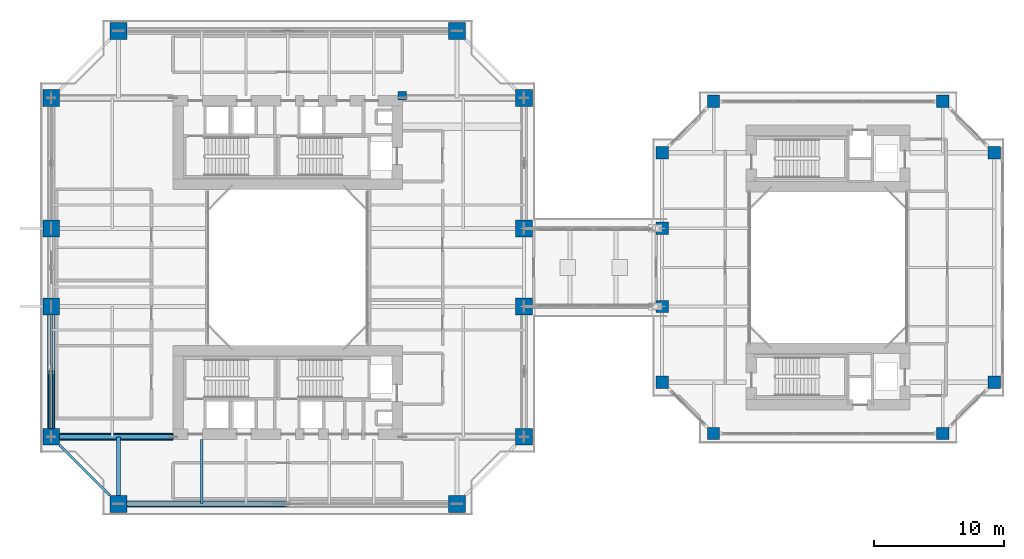
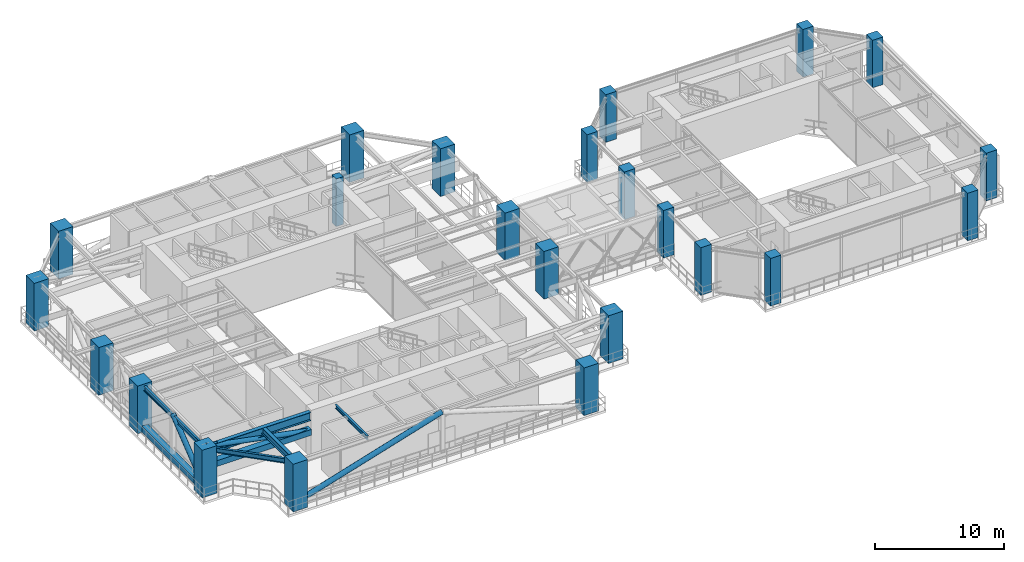
# One storey, part 1 of 26: 23 columns, 5 beams, 5 members.
"""IFC4 building model written with IfcOpenShell, lengths in metres."""

from ifc_helpers import new_model, si_unit, direction, frame, origin, origin_2d, place, context, subcontext, project, spatial, rectangle, hollow_rectangle, hollow_circle, i_section, extrude, source, transform, mapped, material, material_profile, profile_set, type_object, element, save


model = new_model("IFC4")

# Units and contexts
model_context = context("Model", 3, precision=1e-05, world=origin(), true_north=direction((0.0, 1.0)))
body_context = subcontext(model_context, "Body", "Model", "MODEL_VIEW")
ifc_project = project(units=[si_unit("LENGTHUNIT", "METRE"), si_unit("AREAUNIT", "SQUARE_METRE"), si_unit("VOLUMEUNIT", "CUBIC_METRE"), si_unit("PLANEANGLEUNIT", "RADIAN"), si_unit("MASSUNIT", "GRAM", prefix="KILO"), si_unit("THERMODYNAMICTEMPERATUREUNIT", "KELVIN"), si_unit("POWERUNIT", "WATT")], contexts=[model_context])

# Site, building, storey
site_placement = place(None, origin())
site = spatial("IfcSite", under=ifc_project, at=site_placement, CompositionType="ELEMENT")
building_placement = place(site_placement, origin())
building = spatial("IfcBuilding", under=site, at=building_placement, Name="Qiaomeng Ring Towers", CompositionType="ELEMENT")
storey_placement = place(building_placement, frame((0.0, 0.0, 45.75)))
storey = spatial("IfcBuildingStorey", under=building, at=storey_placement, Name="L12", CompositionType="ELEMENT", Elevation=45.75)

# Columns
ifc_material_1 = material(Name="Concrete C50", Category="concrete")
ifc_material_profile_1 = material_profile(ifc_material_1, rectangle(XDim=0.64990234375, YDim=0.64990234375, at=origin_2d()), Name="RC COL 650x650")
ifc_profile_set_1 = profile_set([ifc_material_profile_1], Name="Concrete C50")
column_type_1 = type_object("IfcColumnType", Name="STR-PIL-650", PredefinedType="PILASTER", material=ifc_profile_set_1)
shared_shape_1 = source(origin(), body_context, "Body", "SweptSolid", [
    extrude(rectangle(XDim=0.64990234375, YDim=0.64990234375, at=origin_2d()), origin(), (0.0, 0.0, 1.0), 4.5),
])
column_placement = place(storey_placement, frame((27.800048828125, 36.199951171875, 0.0), z_axis=(0.0, 0.0, 1.0), x_axis=(1.0, 0.0, 0.0)))
element("IfcColumn", 1, at=column_placement, inside=storey, type_object=column_type_1, Name="L12 column STR-PIL-L12-N", PredefinedType="PILASTER", context=body_context, shape_type="MappedRepresentation", body=[
    mapped(shared_shape_1, transform((0.0, 0.0, 0.0), x_axis=(1.0, 0.0, 0.0), y_axis=(0.0, 1.0, 0.0), z_axis=(0.0, 0.0, 1.0), scale=1.0)),
])
ifc_material_2 = material(Name="Concrete C60", Category="concrete")
ifc_material_profile_2 = material_profile(ifc_material_2, rectangle(XDim=1.300048828125, YDim=1.300048828125, at=origin_2d()), Name="RC COL 1300x1300")
ifc_profile_set_2 = profile_set([ifc_material_profile_2], Name="Concrete C60")
column_type_2 = type_object("IfcColumnType", Name="STR-COL-1300", PredefinedType="COLUMN", material=ifc_profile_set_2)
shared_shape_2 = source(origin(), body_context, "Body", "SweptSolid", [
    extrude(rectangle(XDim=1.300048828125, YDim=1.300048828125, at=origin_2d()), origin(), (0.0, 0.0, 1.0), 4.5),
])
for number, where, z_axis, x_axis, name in (
    (2, (6.0, 4.85009765625, 0.0), (0.0, 0.0, 1.0), (1.0, 0.0, 0.0), "L12 column STR-COL-L12-T1-S1"),
    (3, (32.0, 4.85009765625, 0.0), (0.0, 0.0, 1.0), (1.0, 0.0, 0.0), "L12 column STR-COL-L12-T1-S2"),
    (4, (37.14990234375, 10.0, 0.0), (0.0, 0.0, 1.0), (1.0, 0.0, 0.0), "L12 column STR-COL-L12-T1-E1"),
    (5, (37.14990234375, 20.0, 0.0), (0.0, 0.0, 1.0), (1.0, 0.0, 0.0), "L12 column STR-COL-L12-T1-E2"),
    (6, (37.14990234375, 26.0, 0.0), (0.0, 0.0, 1.0), (1.0, 0.0, 0.0), "L12 column STR-COL-L12-T1-E3"),
    (7, (37.14990234375, 36.0, 0.0), (0.0, 0.0, 1.0), (1.0, 0.0, 0.0), "L12 column STR-COL-L12-T1-E4"),
    (8, (32.0, 41.14990234375, 0.0), (0.0, 0.0, 1.0), (1.0, 0.0, 0.0), "L12 column STR-COL-L12-T1-N2"),
    (9, (6.0, 41.14990234375, 0.0), (0.0, 0.0, 1.0), (1.0, 0.0, 0.0), "L12 column STR-COL-L12-T1-N1"),
    (10, (0.85009765625, 36.0, 0.0), (0.0, 0.0, 1.0), (1.0, 0.0, 0.0), "L12 column STR-COL-L12-T1-W4"),
    (11, (0.85009765625, 26.0, 0.0), (0.0, 0.0, 1.0), (1.0, 0.0, 0.0), "L12 column STR-COL-L12-T1-W3"),
    (12, (0.85009765625, 20.0, 0.0), (0.0, 0.0, 1.0), (1.0, 0.0, 0.0), "L12 column STR-COL-L12-T1-W2"),
    (13, (0.85009765625, 10.0, 0.0), (0.0, 0.0, 1.0), (1.0, 0.0, 0.0), "L12 column STR-COL-L12-T1-W1"),
):
    element("IfcColumn", number, at=place(storey_placement, frame(where, z_axis=z_axis, x_axis=x_axis)), inside=storey, type_object=column_type_2, Name=name, PredefinedType="COLUMN", context=body_context, shape_type="MappedRepresentation", body=[
        mapped(shared_shape_2, transform((0.0, 0.0, 0.0), x_axis=(1.0, 0.0, 0.0), y_axis=(0.0, 1.0, 0.0), z_axis=(0.0, 0.0, 1.0), scale=1.0)),
    ])
ifc_material_profile_3 = material_profile(ifc_material_2, rectangle(XDim=0.949951171875, YDim=0.949951171875, at=origin_2d()), Name="RC COL 950x950")
ifc_profile_set_3 = profile_set([ifc_material_profile_3], Name="Concrete C60")
column_type_3 = type_object("IfcColumnType", Name="STR-COL-950-C60", PredefinedType="COLUMN", material=ifc_profile_set_3)
shared_shape_3 = source(origin(), body_context, "Body", "SweptSolid", [
    extrude(rectangle(XDim=0.949951171875, YDim=0.949951171875, at=origin_2d()), origin(), (0.0, 0.0, 1.0), 4.5),
])
for number, where, z_axis, x_axis, name in (
    (14, (51.699951171875, 10.25, 0.0), (0.0, 0.0, 1.0), (1.0, 0.0, 0.0), "L12 column STR-COL-L12-T2-S1"),
    (15, (69.300048828125, 10.25, 0.0), (0.0, 0.0, 1.0), (1.0, 0.0, 0.0), "L12 column STR-COL-L12-T2-S2"),
    (16, (73.25, 14.199951171875, 0.0), (0.0, 0.0, 1.0), (1.0, 0.0, 0.0), "L12 column STR-COL-L12-T2-E1"),
    (17, (73.25, 31.800048828125, 0.0), (0.0, 0.0, 1.0), (1.0, 0.0, 0.0), "L12 column STR-COL-L12-T2-E2"),
    (18, (69.300048828125, 35.75, 0.0), (0.0, 0.0, 1.0), (1.0, 0.0, 0.0), "L12 column STR-COL-L12-T2-N2"),
    (19, (51.699951171875, 35.75, 0.0), (0.0, 0.0, 1.0), (1.0, 0.0, 0.0), "L12 column STR-COL-L12-T2-N1"),
    (20, (47.75, 14.199951171875, 0.0), (0.0, 0.0, 1.0), (1.0, 0.0, 0.0), "L12 column STR-COL-L12-T2-W1"),
    (21, (47.75, 20.0, 0.0), (0.0, 0.0, 1.0), (1.0, 0.0, 0.0), "L12 column STR-COL-L12-T2-W2"),
    (22, (47.75, 26.0, 0.0), (0.0, 0.0, 1.0), (1.0, 0.0, 0.0), "L12 column STR-COL-L12-T2-W3"),
    (23, (47.75, 31.800048828125, 0.0), (0.0, 0.0, 1.0), (1.0, 0.0, 0.0), "L12 column STR-COL-L12-T2-W4"),
):
    element("IfcColumn", number, at=place(storey_placement, frame(where, z_axis=z_axis, x_axis=x_axis)), inside=storey, type_object=column_type_3, Name=name, PredefinedType="COLUMN", context=body_context, shape_type="MappedRepresentation", body=[
        mapped(shared_shape_3, transform((0.0, 0.0, 0.0), x_axis=(1.0, 0.0, 0.0), y_axis=(0.0, 1.0, 0.0), z_axis=(0.0, 0.0, 1.0), scale=1.0)),
    ])

# Beams
ifc_material_3 = material(Name="Steel Q355B", Category="steel")
ifc_material_profile_4 = material_profile(ifc_material_3, i_section(OverallWidth=0.199951171875, OverallDepth=0.449951171875, WebThickness=0.009033203125, FlangeThickness=0.013916015625, FilletRadius=0.01806640625, at=origin_2d()), Name="HN 450x200x9x14")
ifc_profile_set_4 = profile_set([ifc_material_profile_4], Name="Steel Q355B")
beam_type_1 = type_object("IfcBeamType", Name="STR-BM-HN450", PredefinedType="SPANDREL", material=ifc_profile_set_4)
shared_shape_4 = source(origin(), body_context, "Body", "SweptSolid", [
    extrude(i_section(OverallWidth=0.199951171875, OverallDepth=0.449951171875, WebThickness=0.009033203125, FlangeThickness=0.013916015625, FilletRadius=0.01806640625, at=origin_2d()), origin(), (0.0, 0.0, 1.0), 5.446533203125),
])
beam_1_placement = place(storey_placement, frame((1.499267578125, 9.3505859375, 4.094970703125), z_axis=(0.707106781187, -0.707106781187, 0.0), x_axis=(0.707106781187, 0.707106781187, 0.0)))
element("IfcBeam", 24, at=beam_1_placement, inside=storey, type_object=beam_type_1, Name="L12 beam STR-SP-L12-T1-W1-S1", PredefinedType="SPANDREL", context=body_context, shape_type="MappedRepresentation", body=[
    mapped(shared_shape_4, transform((0.0, 0.0, 0.0), x_axis=(1.0, 0.0, 0.0), y_axis=(0.0, 1.0, 0.0), z_axis=(0.0, 0.0, 1.0), scale=1.0)),
])
shared_shape_5 = source(origin(), body_context, "Body", "SweptSolid", [
    extrude(i_section(OverallWidth=0.199951171875, OverallDepth=0.449951171875, WebThickness=0.009033203125, FlangeThickness=0.013916015625, FilletRadius=0.01806640625, at=origin_2d()), origin(), (0.0, 0.0, 1.0), 8.7021484375),
])
beam_2_placement = place(storey_placement, frame((0.85009765625, 19.35107421875, 4.094970703125), z_axis=(0.0, -1.0, 0.0), x_axis=(1.0, 0.0, 0.0)))
element("IfcBeam", 25, at=beam_2_placement, inside=storey, type_object=beam_type_1, Name="L12 beam STR-SP-L12-T1-W2-W1", PredefinedType="SPANDREL", context=body_context, shape_type="MappedRepresentation", body=[
    mapped(shared_shape_5, transform((0.0, 0.0, 0.0), x_axis=(1.0, 0.0, 0.0), y_axis=(0.0, 1.0, 0.0), z_axis=(0.0, 0.0, 1.0), scale=1.0)),
])
ifc_material_4 = material(Name="Steel Q390GJC", Category="steel")
ifc_material_profile_5 = material_profile(ifc_material_4, i_section(OverallWidth=0.35009765625, OverallDepth=0.800048828125, WebThickness=0.01611328125, FlangeThickness=0.028076171875, at=origin_2d()), Name="WH 800x350x16x28")
ifc_profile_set_5 = profile_set([ifc_material_profile_5], Name="Steel Q390GJC")
beam_type_2 = type_object("IfcBeamType", Name="STR-BM-WH800", PredefinedType="BEAM", material=ifc_profile_set_5)
shared_shape_6 = source(origin(), body_context, "Body", "SweptSolid", [
    extrude(i_section(OverallWidth=0.35009765625, OverallDepth=0.800048828125, WebThickness=0.01611328125, FlangeThickness=0.028076171875, at=origin_2d()), origin(), (0.0, 0.0, 1.0), 8.700927734375),
])
beam_3_placement = place(storey_placement, frame((1.4990234375, 10.0, 3.919921875), z_axis=(1.0, 0.0, 0.0), x_axis=(0.0, 1.0, 0.0)))
element("IfcBeam", 26, at=beam_3_placement, inside=storey, type_object=beam_type_2, Name="L12 beam STR-BM-L12-T1-RAD-W1", PredefinedType="BEAM", context=body_context, shape_type="MappedRepresentation", body=[
    mapped(shared_shape_6, transform((0.0, 0.0, 0.0), x_axis=(1.0, 0.0, 0.0), y_axis=(0.0, 1.0, 0.0), z_axis=(0.0, 0.0, 1.0), scale=1.0)),
])
ifc_material_profile_6 = material_profile(ifc_material_3, i_section(OverallWidth=0.300048828125, OverallDepth=0.587890625, WebThickness=0.011962890625, FlangeThickness=0.02001953125, FilletRadius=0.028076171875, at=origin_2d()), Name="HM 588x300x12x20")
ifc_profile_set_6 = profile_set([ifc_material_profile_6], Name="Steel Q355B")
beam_type_3 = type_object("IfcBeamType", Name="STR-BM-HM588", PredefinedType="BEAM", material=ifc_profile_set_6)
shared_shape_7 = source(origin(), body_context, "Body", "SweptSolid", [
    extrude(i_section(OverallWidth=0.300048828125, OverallDepth=0.587890625, WebThickness=0.011962890625, FlangeThickness=0.02001953125, FilletRadius=0.028076171875, at=origin_2d()), origin(), (0.0, 0.0, 1.0), 4.5009765625),
])
beam_4_placement = place(storey_placement, frame((6.0, 5.4990234375, 4.02587890625), z_axis=(0.0, 1.0, 0.0), x_axis=(-1.0, 0.0, 0.0)))
element("IfcBeam", 27, at=beam_4_placement, inside=storey, type_object=beam_type_3, Name="L12 beam STR-BM-L12-T1-RAD-S1", PredefinedType="BEAM", context=body_context, shape_type="MappedRepresentation", body=[
    mapped(shared_shape_7, transform((0.0, 0.0, 0.0), x_axis=(1.0, 0.0, 0.0), y_axis=(0.0, 1.0, 0.0), z_axis=(0.0, 0.0, 1.0), scale=1.0)),
])
ifc_material_profile_7 = material_profile(ifc_material_3, i_section(OverallWidth=0.175048828125, OverallDepth=0.35009765625, WebThickness=0.007080078125, FlangeThickness=0.010986328125, FilletRadius=0.013916015625, at=origin_2d()), Name="HN 350x175x7x11")
ifc_profile_set_7 = profile_set([ifc_material_profile_7], Name="Steel Q355B")
beam_type_4 = type_object("IfcBeamType", Name="STR-BM-HN350", PredefinedType="JOIST", material=ifc_profile_set_7)
shared_shape_8 = source(origin(), body_context, "Body", "SweptSolid", [
    extrude(i_section(OverallWidth=0.175048828125, OverallDepth=0.35009765625, WebThickness=0.007080078125, FlangeThickness=0.010986328125, FilletRadius=0.013916015625, at=origin_2d()), origin(), (0.0, 0.0, 1.0), 4.949951171875),
])
beam_5_placement = place(storey_placement, frame((12.39990234375, 4.85009765625, 4.14501953125), z_axis=(0.0, 1.0, 0.0), x_axis=(-1.0, 0.0, 0.0)))
element("IfcBeam", 28, at=beam_5_placement, inside=storey, type_object=beam_type_4, Name="L12 beam STR-JST-L12-T1S-1", PredefinedType="JOIST", context=body_context, shape_type="MappedRepresentation", body=[
    mapped(shared_shape_8, transform((0.0, 0.0, 0.0), x_axis=(1.0, 0.0, 0.0), y_axis=(0.0, 1.0, 0.0), z_axis=(0.0, 0.0, 1.0), scale=1.0)),
])

# Members
ifc_material_profile_8 = material_profile(ifc_material_4, hollow_circle(Radius=0.228515625, WallThickness=0.028076171875, at=origin_2d()), Name="CHS 457x28")
ifc_profile_set_8 = profile_set([ifc_material_profile_8], Name="Steel Q390GJC")
member_type_1 = type_object("IfcMemberType", Name="STR-MB-BR-457", PredefinedType="BRACE", material=ifc_profile_set_8)
shared_shape_9 = source(origin(), body_context, "Body", "SweptSolid", [
    extrude(hollow_circle(Radius=0.228515625, WallThickness=0.028076171875, at=origin_2d()), origin(), (0.0, 0.0, 1.0), 13.595703125),
])
member_1_placement = place(storey_placement, frame((6.0, 4.85009765625, 0.320068359375), z_axis=(0.956191954359, 0.0, 0.292740407902), x_axis=(0.0, 1.0, 0.0)))
element("IfcMember", 29, at=member_1_placement, inside=storey, type_object=member_type_1, Name="L12 Belt Truss Diagonal S1-M", PredefinedType="BRACE", context=body_context, shape_type="MappedRepresentation", body=[
    mapped(shared_shape_9, transform((0.0, 0.0, 0.0), x_axis=(1.0, 0.0, 0.0), y_axis=(0.0, 1.0, 0.0), z_axis=(0.0, 0.0, 1.0), scale=1.0)),
])
ifc_material_profile_9 = material_profile(ifc_material_4, hollow_rectangle(XDim=0.550048828125, YDim=0.550048828125, WallThickness=0.031982421875, at=origin_2d()), Name="SHS 550x550x32")
ifc_profile_set_9 = profile_set([ifc_material_profile_9], Name="Steel Q390GJC")
member_type_2 = type_object("IfcMemberType", Name="STR-MB-CHORD-550", PredefinedType="CHORD", material=ifc_profile_set_9)
shared_shape_10 = source(origin(), body_context, "Body", "SweptSolid", [
    extrude(hollow_rectangle(XDim=0.550048828125, YDim=0.550048828125, WallThickness=0.031982421875, at=origin_2d()), origin(), (0.0, 0.0, 1.0), 10.0),
])
member_2_placement = place(storey_placement, frame((0.85009765625, 20.0, 0.320068359375), z_axis=(0.0, -1.0, 0.0), x_axis=(1.0, 0.0, 0.0)))
element("IfcMember", 30, at=member_2_placement, inside=storey, type_object=member_type_2, Name="L12 Belt Truss Bottom Chord W2-W1", PredefinedType="CHORD", context=body_context, shape_type="MappedRepresentation", body=[
    mapped(shared_shape_10, transform((0.0, 0.0, 0.0), x_axis=(1.0, 0.0, 0.0), y_axis=(0.0, 1.0, 0.0), z_axis=(0.0, 0.0, 1.0), scale=1.0)),
])
shared_shape_11 = source(origin(), body_context, "Body", "SweptSolid", [
    extrude(hollow_circle(Radius=0.228515625, WallThickness=0.028076171875, at=origin_2d()), origin(), (0.0, 0.0, 1.0), 6.390625),
])
member_3_placement = place(storey_placement, frame((0.85009765625, 10.0, 0.320068359375), z_axis=(0.0, 0.782394587595, 0.622783035497), x_axis=(-1.0, 0.0, 0.0)))
element("IfcMember", 31, at=member_3_placement, inside=storey, type_object=member_type_1, Name="L12 Belt Truss Diagonal W1-M", PredefinedType="BRACE", context=body_context, shape_type="MappedRepresentation", body=[
    mapped(shared_shape_11, transform((0.0, 0.0, 0.0), x_axis=(1.0, 0.0, 0.0), y_axis=(0.0, 1.0, 0.0), z_axis=(0.0, 0.0, 1.0), scale=1.0)),
])
shared_shape_12 = source(origin(), body_context, "Body", "SweptSolid", [
    extrude(hollow_rectangle(XDim=0.550048828125, YDim=0.550048828125, WallThickness=0.031982421875, at=origin_2d()), origin(), (0.0, 0.0, 1.0), 9.349853515625),
])
member_4_placement = place(storey_placement, frame((10.199951171875, 10.0, 2.47998046875), z_axis=(-1.0, 0.0, 0.0), x_axis=(0.0, -1.0, 0.0)))
element("IfcMember", 32, at=member_4_placement, inside=storey, type_object=member_type_2, Name="L12 Core Outrigger Truss Bottom Chord W1", PredefinedType="CHORD", context=body_context, shape_type="MappedRepresentation", body=[
    mapped(shared_shape_12, transform((0.0, 0.0, 0.0), x_axis=(1.0, 0.0, 0.0), y_axis=(0.0, 1.0, 0.0), z_axis=(0.0, 0.0, 1.0), scale=1.0)),
])
shared_shape_13 = source(origin(), body_context, "Body", "SweptSolid", [
    extrude(hollow_circle(Radius=0.228515625, WallThickness=0.028076171875, at=origin_2d()), origin(), (0.0, 0.0, 1.0), 9.525390625),
])
member_5_placement = place(storey_placement, frame((10.199951171875, 10.0, 2.47998046875), z_axis=(-0.981575216514, 0.0, 0.191076147978), x_axis=(0.0, -1.0, 0.0)))
element("IfcMember", 33, at=member_5_placement, inside=storey, type_object=member_type_1, Name="L12 Core Outrigger Truss Diagonal W1", PredefinedType="BRACE", context=body_context, shape_type="MappedRepresentation", body=[
    mapped(shared_shape_13, transform((0.0, 0.0, 0.0), x_axis=(1.0, 0.0, 0.0), y_axis=(0.0, 1.0, 0.0), z_axis=(0.0, 0.0, 1.0), scale=1.0)),
])

save(model, "model.ifc")
